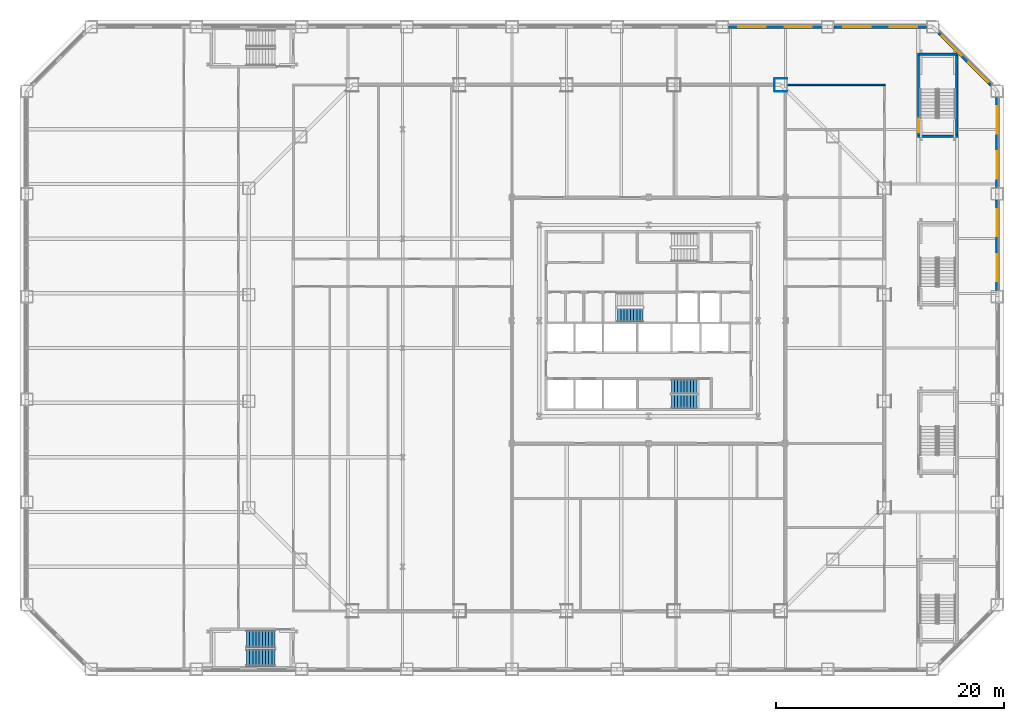
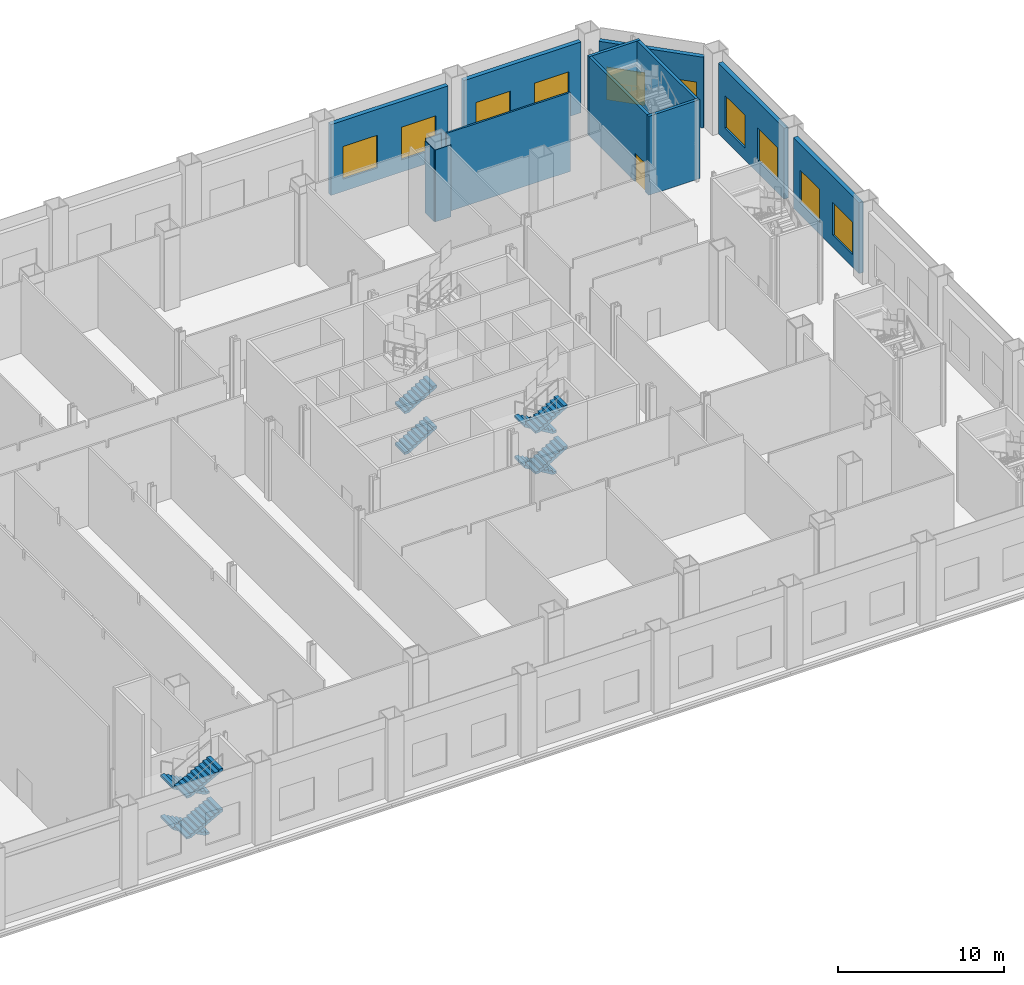
# One storey, part 23 of 31: 13 walls, 10 stair flights, 10 windows, 1 door, 11 openings, 3 elements without a shape of their own.
"""IFC4 building model written with IfcOpenShell, lengths in metres."""

from ifc_helpers import new_model, si_unit, direction, frame, frame_2d, origin, place, context, subcontext, project, spatial, polyline, rectangle, outline, extrude, material, layer, layer_set, type_object, element, fill, aggregate, save


model = new_model("IFC4")

# Units and contexts
model_context = context("Model", 3, precision=1e-05, world=origin(), true_north=direction((0.0, 1.0)))
body_context = subcontext(model_context, "Body", "Model", "MODEL_VIEW")
ifc_project = project(units=[si_unit("LENGTHUNIT", "METRE"), si_unit("AREAUNIT", "SQUARE_METRE"), si_unit("VOLUMEUNIT", "CUBIC_METRE"), si_unit("PLANEANGLEUNIT", "RADIAN"), si_unit("MASSUNIT", "GRAM", prefix="KILO")], contexts=[model_context])

# Site, building, storey
site_placement = place(None, origin())
site = spatial("IfcSite", under=ifc_project, at=site_placement, CompositionType="ELEMENT")
building_placement = place(site_placement, origin())
building = spatial("IfcBuilding", under=site, at=building_placement, Name="Cairn Pilgrim Tower", CompositionType="ELEMENT")
storey_placement = place(building_placement, frame((0.0, 0.0, 9.0)))
storey = spatial("IfcBuildingStorey", under=building, at=storey_placement, Name="L01", CompositionType="ELEMENT", Elevation=9.0)

# Walls
ifc_material_1 = material(Name="Gypsum partition")
ifc_layer_1 = layer(ifc_material_1, 0.125)
ifc_layer_set_1 = layer_set([ifc_layer_1], Name="PARTITION 125 DRYWALL EI 60")
wall_type_1 = type_object("IfcWallType", Name="PARTITION 125 DRYWALL EI 60", PredefinedType="PARTITIONING", material=ifc_layer_set_1)
wall_1_placement = place(storey_placement, frame((19.377197265625, 23.10009765625, 0.0), z_axis=(0.0, 0.0, 1.0), x_axis=(1.0, 0.0, 0.0)))
element("IfcWall", 1, at=wall_1_placement, inside=storey, type_object=wall_type_1, Name="PARTITION W075", PredefinedType="PARTITIONING", context=body_context, shape_type="SweptSolid", body=[
    extrude(rectangle(XDim=8.585205078125, YDim=0.125, at=frame_2d((4.29248046875, 0.0))), origin(), (0.0, 0.0, 1.0), 5.800048828125),
])
ifc_layer_2 = layer(ifc_material_1, 0.050048828125)
ifc_layer_set_2 = layer_set([ifc_layer_2], Name="PARTITION 50 DRYWALL EI 60")
wall_type_2 = type_object("IfcWallType", Name="PARTITION 50 DRYWALL EI 60", PredefinedType="PARTITIONING", material=ifc_layer_set_2)
wall_2_placement = place(storey_placement, frame((18.252197265625, 22.550048828125, 0.0), z_axis=(0.0, 0.0, 1.0), x_axis=(0.0, 1.0, 0.0)))
element("IfcWall", 2, at=wall_2_placement, inside=storey, type_object=wall_type_2, Name="COLUMN CASING WC37", PredefinedType="PARTITIONING", context=body_context, shape_type="SweptSolid", body=[
    extrude(rectangle(XDim=1.099853515625, YDim=0.050048828125, at=frame_2d((0.5498046875, 0.0))), origin(), (0.0, 0.0, 1.0), 5.280029296875),
])
wall_3_placement = place(storey_placement, frame((18.277099609375, 22.52490234375, 0.0), z_axis=(0.0, 0.0, 1.0), x_axis=(1.0, 0.0, 0.0)))
element("IfcWall", 3, at=wall_3_placement, inside=storey, type_object=wall_type_2, Name="COLUMN CASING WC46", PredefinedType="PARTITIONING", context=body_context, shape_type="SweptSolid", body=[
    extrude(rectangle(XDim=1.10009765625, YDim=0.050048828125, at=frame_2d((0.550048828125, 0.0))), origin(), (0.0, 0.0, 1.0), 5.280029296875),
])
wall_4_placement = place(storey_placement, frame((18.277099609375, 23.675048828125, 0.0), z_axis=(0.0, 0.0, 1.0), x_axis=(1.0, 0.0, 0.0)))
element("IfcWall", 4, at=wall_4_placement, inside=storey, type_object=wall_type_2, Name="COLUMN CASING WC47", PredefinedType="PARTITIONING", context=body_context, shape_type="SweptSolid", body=[
    extrude(rectangle(XDim=1.10009765625, YDim=0.050048828125, at=frame_2d((0.550048828125, 0.0))), origin(), (0.0, 0.0, 1.0), 5.419921875),
])
ifc_material_2 = material(Name="Concrete C35/45", Category="concrete")
ifc_layer_3 = layer(ifc_material_2, 0.199951171875)
ifc_layer_set_3 = layer_set([ifc_layer_3], Name="PODIUM STAIR WALL 200 EI 120")
wall_type_3 = type_object("IfcWallType", Name="PODIUM STAIR WALL 200 EI 120", PredefinedType="SOLIDWALL", material=ifc_layer_set_3)
wall_5_placement = place(storey_placement, frame((30.800048828125, 18.60009765625, 0.0), z_axis=(0.0, 0.0, 1.0), x_axis=(1.0, 0.0, 0.0)))
element("IfcWall", 5, at=wall_5_placement, inside=storey, type_object=wall_type_3, Name="STAIR SHAFT WALL W066", PredefinedType="SOLIDWALL", context=body_context, shape_type="SweptSolid", body=[
    extrude(rectangle(XDim=3.550048828125, YDim=0.199951171875, at=frame_2d((1.77490234375, 0.0))), origin(), (0.0, 0.0, 1.0), 5.800048828125),
])

# Wall, opening, door
wall_6_placement = place(storey_placement, frame((30.89990234375, 18.699951171875, 0.0), z_axis=(0.0, 0.0, 1.0), x_axis=(0.0, 1.0, 0.0)))
wall_6 = element("IfcWall", 6, at=wall_6_placement, inside=storey, type_object=wall_type_3, Name="STAIR SHAFT WALL W067", PredefinedType="SOLIDWALL", context=body_context, shape_type="SweptSolid", body=[
    extrude(rectangle(XDim=7.0, YDim=0.199951171875, at=frame_2d((3.5, 0.0))), origin(), (0.0, 0.0, 1.0), 5.800048828125),
])
opening_1_placement = place(wall_6_placement, frame((0.25, 0.0, 0.0)))
opening_1 = element("IfcOpeningElement", 7, at=opening_1_placement, cuts=wall_6, Name="Opening 0131", PredefinedType="OPENING", context=body_context, shape_type="SweptSolid", body=[
    extrude(rectangle(XDim=1.199951171875, YDim=2.10009765625, at=frame_2d((0.60009765625, 1.050048828125))), frame((0.0, 0.10986328125, 0.0), z_axis=(0.0, -1.0, 0.0), x_axis=(1.0, 0.0, 0.0)), (0.0, 0.0, 1.0), 0.219970703125),
])
ifc_material_3 = material(Name="Steel-faced fire door leaf", Category="steel")
door_type = type_object("IfcDoorType", Name="FIRE DOOR 1200x2100 FD60S", OperationType="NOTDEFINED", PredefinedType="DOOR", material=ifc_material_3)
door_placement = place(opening_1_placement, frame((1.199951171875, 0.0, 0.0), z_axis=(0.0, 0.0, 1.0), x_axis=(-1.0, 0.0, 0.0)))
door = element("IfcDoor", 8, at=door_placement, inside=storey, type_object=door_type, Name="DOOR 0131", OperationType="SINGLE_SWING_RIGHT", OverallHeight=2.10009765625, OverallWidth=1.199951171875, PredefinedType="DOOR", context=body_context, shape_type="SweptSolid", body=[
    extrude(rectangle(XDim=1.199951171875, YDim=2.10009765625, at=frame_2d((0.60009765625, 1.050048828125))), frame((0.0, 0.02490234375, 0.0), z_axis=(0.0, -1.0, 0.0), x_axis=(1.0, 0.0, 0.0)), (0.0, 0.0, 1.0), 0.050048828125),
])
fill(opening_1, door)

# Walls
wall_7_placement = place(storey_placement, frame((34.25, 18.699951171875, 0.0), z_axis=(0.0, 0.0, 1.0), x_axis=(0.0, 1.0, 0.0)))
element("IfcWall", 9, at=wall_7_placement, inside=storey, type_object=wall_type_3, Name="STAIR SHAFT WALL W068", PredefinedType="SOLIDWALL", context=body_context, shape_type="SweptSolid", body=[
    extrude(rectangle(XDim=7.0, YDim=0.199951171875, at=frame_2d((3.5, 0.0))), origin(), (0.0, 0.0, 1.0), 5.800048828125),
])
wall_8_placement = place(storey_placement, frame((30.800048828125, 25.800048828125, 0.0), z_axis=(0.0, 0.0, 1.0), x_axis=(1.0, 0.0, 0.0)))
element("IfcWall", 10, at=wall_8_placement, inside=storey, type_object=wall_type_3, Name="STAIR SHAFT WALL W080", PredefinedType="SOLIDWALL", context=body_context, shape_type="SweptSolid", body=[
    extrude(rectangle(XDim=3.550048828125, YDim=0.199951171875, at=frame_2d((1.77490234375, 0.0))), origin(), (0.0, 0.0, 1.0), 5.800048828125),
])

# Wall, openings, windows
ifc_material_4 = material(Name="Concrete C35/45 backup wall with bronze aluminium cladding", Category="concrete")
ifc_layer_4 = layer(ifc_material_4, 0.300048828125)
ifc_layer_set_4 = layer_set([ifc_layer_4], Name="PODIUM WALL 300 BRONZE-CLAD")
wall_type_4 = type_object("IfcWallType", Name="PODIUM WALL 300 BRONZE-CLAD", PredefinedType="SOLIDWALL", material=ifc_layer_set_4)
wall_9_placement = place(storey_placement, frame((37.800048828125, 5.060302734375, 0.0), z_axis=(0.0, 0.0, 1.0), x_axis=(0.0, 1.0, 0.0)))
wall_9 = element("IfcWall", 11, at=wall_9_placement, inside=storey, type_object=wall_type_4, Name="PODIUM EXTERNAL WALL E4-E5", PredefinedType="SOLIDWALL", context=body_context, shape_type="SweptSolid", body=[
    extrude(rectangle(XDim=7.920654296875, YDim=0.300048828125, at=frame_2d((3.96044921875, 0.0))), origin(), (0.0, 0.0, 1.0), 5.199951171875),
])
opening_2_placement = place(wall_9_placement, frame((0.780029296875, 0.0, 0.89990234375)))
opening_2 = element("IfcOpeningElement", 12, at=opening_2_placement, cuts=wall_9, Name="Opening PW24", PredefinedType="OPENING", context=body_context, shape_type="SweptSolid", body=[
    extrude(rectangle(XDim=2.39990234375, YDim=2.39990234375, at=frame_2d((1.199951171875, 1.199951171875))), frame((0.0, 0.16015625, 0.0), z_axis=(0.0, -1.0, 0.0), x_axis=(1.0, 0.0, 0.0)), (0.0, 0.0, 1.0), 0.320068359375),
])
opening_3_placement = place(wall_9_placement, frame((4.740478515625, 0.0, 0.89990234375)))
opening_3 = element("IfcOpeningElement", 13, at=opening_3_placement, cuts=wall_9, Name="Opening PW24", PredefinedType="OPENING", context=body_context, shape_type="SweptSolid", body=[
    extrude(rectangle(XDim=2.39990234375, YDim=2.39990234375, at=frame_2d((1.199951171875, 1.199951171875))), frame((0.0, 0.16015625, 0.0), z_axis=(0.0, -1.0, 0.0), x_axis=(1.0, 0.0, 0.0)), (0.0, 0.0, 1.0), 0.320068359375),
])
ifc_material_5 = material(Name="Bronze anodised aluminium frame with tinted low-E glass", Category="aluminium")
window_type = type_object("IfcWindowType", Name="PODIUM FIXED WINDOW 2400x2400", PartitioningType="SINGLE_PANEL", PredefinedType="WINDOW", material=ifc_material_5)
window_1_placement = place(opening_2_placement, origin())
window_1 = element("IfcWindow", 14, at=window_1_placement, inside=storey, type_object=window_type, Name="PODIUM WINDOW", OverallHeight=2.39990234375, OverallWidth=2.39990234375, PartitioningType="SINGLE_PANEL", PredefinedType="WINDOW", context=body_context, shape_type="SweptSolid", body=[
    extrude(rectangle(XDim=2.39990234375, YDim=2.39990234375, at=frame_2d((1.199951171875, 1.199951171875))), frame((0.0, 0.030029296875, 0.0), z_axis=(0.0, -1.0, 0.0), x_axis=(1.0, 0.0, 0.0)), (0.0, 0.0, 1.0), 0.06005859375),
])
fill(opening_2, window_1)
window_2_placement = place(opening_3_placement, origin())
window_2 = element("IfcWindow", 15, at=window_2_placement, inside=storey, type_object=window_type, Name="PODIUM WINDOW", OverallHeight=2.39990234375, OverallWidth=2.39990234375, PartitioningType="SINGLE_PANEL", PredefinedType="WINDOW", context=body_context, shape_type="SweptSolid", body=[
    extrude(rectangle(XDim=2.39990234375, YDim=2.39990234375, at=frame_2d((1.199951171875, 1.199951171875))), frame((0.0, 0.030029296875, 0.0), z_axis=(0.0, -1.0, 0.0), x_axis=(1.0, 0.0, 0.0)), (0.0, 0.0, 1.0), 0.06005859375),
])
fill(opening_3, window_2)

wall_10_placement = place(storey_placement, frame((37.800048828125, 14.080810546875, 0.0), z_axis=(0.0, 0.0, 1.0), x_axis=(0.0, 1.0, 0.0)))
wall_10 = element("IfcWall", 16, at=wall_10_placement, inside=storey, type_object=wall_type_4, Name="PODIUM EXTERNAL WALL E5-NE1", PredefinedType="SOLIDWALL", context=body_context, shape_type="SweptSolid", body=[
    extrude(rectangle(XDim=7.920654296875, YDim=0.300048828125, at=frame_2d((3.96044921875, 0.0))), origin(), (0.0, 0.0, 1.0), 5.199951171875),
])
opening_4_placement = place(wall_10_placement, frame((0.780029296875, 0.0, 0.89990234375)))
opening_4 = element("IfcOpeningElement", 17, at=opening_4_placement, cuts=wall_10, Name="Opening PW24", PredefinedType="OPENING", context=body_context, shape_type="SweptSolid", body=[
    extrude(rectangle(XDim=2.39990234375, YDim=2.39990234375, at=frame_2d((1.199951171875, 1.199951171875))), frame((0.0, 0.16015625, 0.0), z_axis=(0.0, -1.0, 0.0), x_axis=(1.0, 0.0, 0.0)), (0.0, 0.0, 1.0), 0.320068359375),
])
opening_5_placement = place(wall_10_placement, frame((4.740478515625, 0.0, 0.89990234375)))
opening_5 = element("IfcOpeningElement", 18, at=opening_5_placement, cuts=wall_10, Name="Opening PW24", PredefinedType="OPENING", context=body_context, shape_type="SweptSolid", body=[
    extrude(rectangle(XDim=2.39990234375, YDim=2.39990234375, at=frame_2d((1.199951171875, 1.199951171875))), frame((0.0, 0.16015625, 0.0), z_axis=(0.0, -1.0, 0.0), x_axis=(1.0, 0.0, 0.0)), (0.0, 0.0, 1.0), 0.320068359375),
])
window_3_placement = place(opening_4_placement, origin())
window_3 = element("IfcWindow", 19, at=window_3_placement, inside=storey, type_object=window_type, Name="PODIUM WINDOW", OverallHeight=2.39990234375, OverallWidth=2.39990234375, PartitioningType="SINGLE_PANEL", PredefinedType="WINDOW", context=body_context, shape_type="SweptSolid", body=[
    extrude(rectangle(XDim=2.39990234375, YDim=2.39990234375, at=frame_2d((1.199951171875, 1.199951171875))), frame((0.0, 0.030029296875, 0.0), z_axis=(0.0, -1.0, 0.0), x_axis=(1.0, 0.0, 0.0)), (0.0, 0.0, 1.0), 0.06005859375),
])
fill(opening_4, window_3)
window_4_placement = place(opening_5_placement, origin())
window_4 = element("IfcWindow", 20, at=window_4_placement, inside=storey, type_object=window_type, Name="PODIUM WINDOW", OverallHeight=2.39990234375, OverallWidth=2.39990234375, PartitioningType="SINGLE_PANEL", PredefinedType="WINDOW", context=body_context, shape_type="SweptSolid", body=[
    extrude(rectangle(XDim=2.39990234375, YDim=2.39990234375, at=frame_2d((1.199951171875, 1.199951171875))), frame((0.0, 0.030029296875, 0.0), z_axis=(0.0, -1.0, 0.0), x_axis=(1.0, 0.0, 0.0)), (0.0, 0.0, 1.0), 0.06005859375),
])
fill(opening_5, window_4)

wall_11_placement = place(storey_placement, frame((37.276611328125, 23.07470703125, 0.0), z_axis=(0.0, 0.0, 1.0), x_axis=(-0.707088024292, 0.707125537583, 0.0)))
wall_11 = element("IfcWall", 21, at=wall_11_placement, inside=storey, type_object=wall_type_4, Name="PODIUM EXTERNAL WALL NE1-N1", PredefinedType="SOLIDWALL", context=body_context, shape_type="SweptSolid", body=[
    extrude(rectangle(XDim=6.508056640625, YDim=0.300048828125, at=frame_2d((3.25390625, 0.0))), origin(), (0.0, 0.0, 1.0), 5.199951171875),
])
opening_6_placement = place(wall_11_placement, frame((0.427001953125, 0.0, 0.89990234375)))
opening_6 = element("IfcOpeningElement", 22, at=opening_6_placement, cuts=wall_11, Name="Opening PW24", PredefinedType="OPENING", context=body_context, shape_type="SweptSolid", body=[
    extrude(rectangle(XDim=2.39990234375, YDim=2.39990234375, at=frame_2d((1.199951171875, 1.199951171875))), frame((0.0, 0.16015625, 0.0), z_axis=(0.0, -1.0, 0.0), x_axis=(1.0, 0.0, 0.0)), (0.0, 0.0, 1.0), 0.320068359375),
])
opening_7_placement = place(wall_11_placement, frame((3.68115234375, 0.0, 0.89990234375)))
opening_7 = element("IfcOpeningElement", 23, at=opening_7_placement, cuts=wall_11, Name="Opening PW24", PredefinedType="OPENING", context=body_context, shape_type="SweptSolid", body=[
    extrude(rectangle(XDim=2.39990234375, YDim=2.39990234375, at=frame_2d((1.199951171875, 1.199951171875))), frame((0.0, 0.16015625, 0.0), z_axis=(0.0, -1.0, 0.0), x_axis=(1.0, 0.0, 0.0)), (0.0, 0.0, 1.0), 0.320068359375),
])
window_5_placement = place(opening_6_placement, origin())
window_5 = element("IfcWindow", 24, at=window_5_placement, inside=storey, type_object=window_type, Name="PODIUM WINDOW", OverallHeight=2.39990234375, OverallWidth=2.39990234375, PartitioningType="SINGLE_PANEL", PredefinedType="WINDOW", context=body_context, shape_type="SweptSolid", body=[
    extrude(rectangle(XDim=2.39990234375, YDim=2.39990234375, at=frame_2d((1.199951171875, 1.199951171875))), frame((0.0, 0.030029296875, 0.0), z_axis=(0.0, -1.0, 0.0), x_axis=(1.0, 0.0, 0.0)), (0.0, 0.0, 1.0), 0.06005859375),
])
fill(opening_6, window_5)
window_6_placement = place(opening_7_placement, origin())
window_6 = element("IfcWindow", 25, at=window_6_placement, inside=storey, type_object=window_type, Name="PODIUM WINDOW", OverallHeight=2.39990234375, OverallWidth=2.39990234375, PartitioningType="SINGLE_PANEL", PredefinedType="WINDOW", context=body_context, shape_type="SweptSolid", body=[
    extrude(rectangle(XDim=2.39990234375, YDim=2.39990234375, at=frame_2d((1.199951171875, 1.199951171875))), frame((0.0, 0.030029296875, 0.0), z_axis=(0.0, -1.0, 0.0), x_axis=(1.0, 0.0, 0.0)), (0.0, 0.0, 1.0), 0.06005859375),
])
fill(opening_7, window_6)

wall_12_placement = place(storey_placement, frame((31.6015625, 28.199951171875, 0.0), z_axis=(0.0, 0.0, 1.0), x_axis=(-1.0, 0.0, 0.0)))
wall_12 = element("IfcWall", 26, at=wall_12_placement, inside=storey, type_object=wall_type_4, Name="PODIUM EXTERNAL WALL N1-N2", PredefinedType="SOLIDWALL", context=body_context, shape_type="SweptSolid", body=[
    extrude(rectangle(XDim=8.137939453125, YDim=0.300048828125, at=frame_2d((4.06884765625, 0.0))), origin(), (0.0, 0.0, 1.0), 5.199951171875),
])
opening_8_placement = place(wall_12_placement, frame((0.83447265625, 0.0, 0.89990234375)))
opening_8 = element("IfcOpeningElement", 27, at=opening_8_placement, cuts=wall_12, Name="Opening PW24", PredefinedType="OPENING", context=body_context, shape_type="SweptSolid", body=[
    extrude(rectangle(XDim=2.39990234375, YDim=2.39990234375, at=frame_2d((1.199951171875, 1.199951171875))), frame((0.0, 0.16015625, 0.0), z_axis=(0.0, -1.0, 0.0), x_axis=(1.0, 0.0, 0.0)), (0.0, 0.0, 1.0), 0.320068359375),
])
opening_9_placement = place(wall_12_placement, frame((4.9033203125, 0.0, 0.89990234375)))
opening_9 = element("IfcOpeningElement", 28, at=opening_9_placement, cuts=wall_12, Name="Opening PW24", PredefinedType="OPENING", context=body_context, shape_type="SweptSolid", body=[
    extrude(rectangle(XDim=2.39990234375, YDim=2.39990234375, at=frame_2d((1.199951171875, 1.199951171875))), frame((0.0, 0.16015625, 0.0), z_axis=(0.0, -1.0, 0.0), x_axis=(1.0, 0.0, 0.0)), (0.0, 0.0, 1.0), 0.320068359375),
])
window_7_placement = place(opening_8_placement, origin())
window_7 = element("IfcWindow", 29, at=window_7_placement, inside=storey, type_object=window_type, Name="PODIUM WINDOW", OverallHeight=2.39990234375, OverallWidth=2.39990234375, PartitioningType="SINGLE_PANEL", PredefinedType="WINDOW", context=body_context, shape_type="SweptSolid", body=[
    extrude(rectangle(XDim=2.39990234375, YDim=2.39990234375, at=frame_2d((1.199951171875, 1.199951171875))), frame((0.0, 0.030029296875, 0.0), z_axis=(0.0, -1.0, 0.0), x_axis=(1.0, 0.0, 0.0)), (0.0, 0.0, 1.0), 0.06005859375),
])
fill(opening_8, window_7)
window_8_placement = place(opening_9_placement, origin())
window_8 = element("IfcWindow", 30, at=window_8_placement, inside=storey, type_object=window_type, Name="PODIUM WINDOW", OverallHeight=2.39990234375, OverallWidth=2.39990234375, PartitioningType="SINGLE_PANEL", PredefinedType="WINDOW", context=body_context, shape_type="SweptSolid", body=[
    extrude(rectangle(XDim=2.39990234375, YDim=2.39990234375, at=frame_2d((1.199951171875, 1.199951171875))), frame((0.0, 0.030029296875, 0.0), z_axis=(0.0, -1.0, 0.0), x_axis=(1.0, 0.0, 0.0)), (0.0, 0.0, 1.0), 0.06005859375),
])
fill(opening_9, window_8)

wall_13_placement = place(storey_placement, frame((22.363525390625, 28.199951171875, 0.0), z_axis=(0.0, 0.0, 1.0), x_axis=(-1.0, 0.0, 0.0)))
wall_13 = element("IfcWall", 31, at=wall_13_placement, inside=storey, type_object=wall_type_4, Name="PODIUM EXTERNAL WALL N2-N3", PredefinedType="SOLIDWALL", context=body_context, shape_type="SweptSolid", body=[
    extrude(rectangle(XDim=8.137939453125, YDim=0.300048828125, at=frame_2d((4.06884765625, 0.0))), origin(), (0.0, 0.0, 1.0), 5.199951171875),
])
opening_10_placement = place(wall_13_placement, frame((0.83447265625, 0.0, 0.89990234375)))
opening_10 = element("IfcOpeningElement", 32, at=opening_10_placement, cuts=wall_13, Name="Opening PW24", PredefinedType="OPENING", context=body_context, shape_type="SweptSolid", body=[
    extrude(rectangle(XDim=2.39990234375, YDim=2.39990234375, at=frame_2d((1.199951171875, 1.199951171875))), frame((0.0, 0.16015625, 0.0), z_axis=(0.0, -1.0, 0.0), x_axis=(1.0, 0.0, 0.0)), (0.0, 0.0, 1.0), 0.320068359375),
])
opening_11_placement = place(wall_13_placement, frame((4.9033203125, 0.0, 0.89990234375)))
opening_11 = element("IfcOpeningElement", 33, at=opening_11_placement, cuts=wall_13, Name="Opening PW24", PredefinedType="OPENING", context=body_context, shape_type="SweptSolid", body=[
    extrude(rectangle(XDim=2.39990234375, YDim=2.39990234375, at=frame_2d((1.199951171875, 1.199951171875))), frame((0.0, 0.16015625, 0.0), z_axis=(0.0, -1.0, 0.0), x_axis=(1.0, 0.0, 0.0)), (0.0, 0.0, 1.0), 0.320068359375),
])
window_9_placement = place(opening_10_placement, origin())
window_9 = element("IfcWindow", 34, at=window_9_placement, inside=storey, type_object=window_type, Name="PODIUM WINDOW", OverallHeight=2.39990234375, OverallWidth=2.39990234375, PartitioningType="SINGLE_PANEL", PredefinedType="WINDOW", context=body_context, shape_type="SweptSolid", body=[
    extrude(rectangle(XDim=2.39990234375, YDim=2.39990234375, at=frame_2d((1.199951171875, 1.199951171875))), frame((0.0, 0.030029296875, 0.0), z_axis=(0.0, -1.0, 0.0), x_axis=(1.0, 0.0, 0.0)), (0.0, 0.0, 1.0), 0.06005859375),
])
fill(opening_10, window_9)
window_10_placement = place(opening_11_placement, origin())
window_10 = element("IfcWindow", 35, at=window_10_placement, inside=storey, type_object=window_type, Name="PODIUM WINDOW", OverallHeight=2.39990234375, OverallWidth=2.39990234375, PartitioningType="SINGLE_PANEL", PredefinedType="WINDOW", context=body_context, shape_type="SweptSolid", body=[
    extrude(rectangle(XDim=2.39990234375, YDim=2.39990234375, at=frame_2d((1.199951171875, 1.199951171875))), frame((0.0, 0.030029296875, 0.0), z_axis=(0.0, -1.0, 0.0), x_axis=(1.0, 0.0, 0.0)), (0.0, 0.0, 1.0), 0.06005859375),
])
fill(opening_11, window_10)

# Stair, stair flights
stair_type_1 = type_object("IfcStairType", Name="PODIUM EXIT STAIR 1500", PredefinedType="HALF_TURN_STAIR", material=ifc_material_2)
stair_1_placement = place(storey_placement, origin())
stair_1 = element("IfcStair", 36, at=stair_1_placement, inside=storey, type_object=stair_type_1, Name="L01 Exit Stair Hs", PredefinedType="HALF_TURN_STAIR")
stair_flight_type_1 = type_object("IfcStairFlightType", Name="PODIUM STAIR FLIGHT 1500", PredefinedType="STRAIGHT", material=ifc_material_2)
stair_flight_1_placement = place(storey_placement, frame((-25.60009765625, -25.550048828125, 0.0), z_axis=(0.0, 0.0, 1.0), x_axis=(-1.0, 0.0, 0.0)))
stair_flight_1 = element("IfcStairFlight", 37, at=stair_flight_1_placement, type_object=stair_flight_type_1, Name="ST-HS flight 1", NumberOfRisers=10, NumberOfTreads=9, PredefinedType="STRAIGHT", RiserHeight=0.15, TreadLength=0.28, context=body_context, shape_type="SweptSolid", body=[
    extrude(outline(polyline([(0.0, 0.0), (0.0, 0.14990234375), (0.280029296875, 0.14990234375), (0.280029296875, 0.300048828125), (0.56005859375, 0.300048828125), (0.56005859375, 0.449951171875), (0.840087890625, 0.449951171875), (0.840087890625, 0.60009765625), (1.1201171875, 0.60009765625), (1.1201171875, 0.75), (1.39990234375, 0.75), (1.39990234375, 0.89990234375), (1.679931640625, 0.89990234375), (1.679931640625, 1.050048828125), (1.9599609375, 1.050048828125), (1.9599609375, 1.199951171875), (2.239990234375, 1.199951171875), (2.239990234375, 1.35009765625), (2.52001953125, 1.35009765625), (2.52001953125, 1.5), (2.52001953125, 1.179931640625), (0.3173828125, 0.0), (0.0, 0.0)])), frame((0.0, 0.75, 0.0), z_axis=(0.0, -1.0, 0.0), x_axis=(1.0, 0.0, 0.0)), (0.0, 0.0, 1.0), 1.5),
])
stair_flight_2_placement = place(storey_placement, frame((-28.1201171875, -27.199951171875, 1.5), z_axis=(0.0, 0.0, 1.0), x_axis=(1.0, 0.0, 0.0)))
stair_flight_2 = element("IfcStairFlight", 38, at=stair_flight_2_placement, type_object=stair_flight_type_1, Name="ST-HS flight 2", NumberOfRisers=10, NumberOfTreads=9, PredefinedType="STRAIGHT", RiserHeight=0.15, TreadLength=0.28, context=body_context, shape_type="SweptSolid", body=[
    extrude(outline(polyline([(0.0, 0.0), (0.0, 0.14990234375), (0.280029296875, 0.14990234375), (0.280029296875, 0.300048828125), (0.56005859375, 0.300048828125), (0.56005859375, 0.449951171875), (0.840087890625, 0.449951171875), (0.840087890625, 0.60009765625), (1.1201171875, 0.60009765625), (1.1201171875, 0.75), (1.39990234375, 0.75), (1.39990234375, 0.89990234375), (1.679931640625, 0.89990234375), (1.679931640625, 1.050048828125), (1.9599609375, 1.050048828125), (1.9599609375, 1.199951171875), (2.239990234375, 1.199951171875), (2.239990234375, 1.35009765625), (2.52001953125, 1.35009765625), (2.52001953125, 1.5), (2.52001953125, 1.179931640625), (0.3173828125, 0.0), (0.0, 0.0)])), frame((0.0, 0.75, 0.0), z_axis=(0.0, -1.0, 0.0), x_axis=(1.0, 0.0, 0.0)), (0.0, 0.0, 1.0), 1.5),
])
stair_flight_3_placement = place(storey_placement, frame((-25.60009765625, -25.550048828125, 3.0), z_axis=(0.0, 0.0, 1.0), x_axis=(-1.0, 0.0, 0.0)))
stair_flight_3 = element("IfcStairFlight", 39, at=stair_flight_3_placement, type_object=stair_flight_type_1, Name="ST-HS flight 3", NumberOfRisers=10, NumberOfTreads=9, PredefinedType="STRAIGHT", RiserHeight=0.15, TreadLength=0.28, context=body_context, shape_type="SweptSolid", body=[
    extrude(outline(polyline([(0.0, 0.0), (0.0, 0.14990234375), (0.280029296875, 0.14990234375), (0.280029296875, 0.300048828125), (0.56005859375, 0.300048828125), (0.56005859375, 0.449951171875), (0.840087890625, 0.449951171875), (0.840087890625, 0.60009765625), (1.1201171875, 0.60009765625), (1.1201171875, 0.75), (1.39990234375, 0.75), (1.39990234375, 0.89990234375), (1.679931640625, 0.89990234375), (1.679931640625, 1.050048828125), (1.9599609375, 1.050048828125), (1.9599609375, 1.199951171875), (2.239990234375, 1.199951171875), (2.239990234375, 1.35009765625), (2.52001953125, 1.35009765625), (2.52001953125, 1.5), (2.52001953125, 1.179931640625), (0.3173828125, 0.0), (0.0, 0.0)])), frame((0.0, 0.75, 0.0), z_axis=(0.0, -1.0, 0.0), x_axis=(1.0, 0.0, 0.0)), (0.0, 0.0, 1.0), 1.5),
])
stair_flight_4_placement = place(storey_placement, frame((-28.1201171875, -27.199951171875, 4.5), z_axis=(0.0, 0.0, 1.0), x_axis=(1.0, 0.0, 0.0)))
stair_flight_4 = element("IfcStairFlight", 40, at=stair_flight_4_placement, type_object=stair_flight_type_1, Name="ST-HS flight 4", NumberOfRisers=10, NumberOfTreads=9, PredefinedType="STRAIGHT", RiserHeight=0.15, TreadLength=0.28, context=body_context, shape_type="SweptSolid", body=[
    extrude(outline(polyline([(0.0, 0.0), (0.0, 0.14990234375), (0.280029296875, 0.14990234375), (0.280029296875, 0.300048828125), (0.56005859375, 0.300048828125), (0.56005859375, 0.449951171875), (0.840087890625, 0.449951171875), (0.840087890625, 0.60009765625), (1.1201171875, 0.60009765625), (1.1201171875, 0.75), (1.39990234375, 0.75), (1.39990234375, 0.89990234375), (1.679931640625, 0.89990234375), (1.679931640625, 1.050048828125), (1.9599609375, 1.050048828125), (1.9599609375, 1.199951171875), (2.239990234375, 1.199951171875), (2.239990234375, 1.35009765625), (2.52001953125, 1.35009765625), (2.52001953125, 1.5), (2.52001953125, 1.179931640625), (0.3173828125, 0.0), (0.0, 0.0)])), frame((0.0, 0.75, 0.0), z_axis=(0.0, -1.0, 0.0), x_axis=(1.0, 0.0, 0.0)), (0.0, 0.0, 1.0), 1.5),
])
aggregate(stair_1, [stair_flight_1, stair_flight_2, stair_flight_3, stair_flight_4])

ifc_material_6 = material(Name="Concrete C32/40", Category="concrete")
stair_type_2 = type_object("IfcStairType", Name="EXIT STAIR 1200", PredefinedType="HALF_TURN_STAIR", material=ifc_material_6)
stair_2_placement = place(storey_placement, origin())
stair_2 = element("IfcStair", 41, at=stair_2_placement, inside=storey, type_object=stair_type_2, Name="L01 Exit Stair A", PredefinedType="HALF_TURN_STAIR")
stair_flight_type_2 = type_object("IfcStairFlightType", Name="STAIR FLIGHT 1200", PredefinedType="STRAIGHT", material=ifc_material_6)
stair_flight_5_placement = place(storey_placement, frame((11.425048828125, -3.375, 0.0), z_axis=(0.0, 0.0, 1.0), x_axis=(-1.0, 0.0, 0.0)))
stair_flight_5 = element("IfcStairFlight", 42, at=stair_flight_5_placement, type_object=stair_flight_type_2, Name="ST-A flight 1", NumberOfRisers=9, NumberOfTreads=8, PredefinedType="STRAIGHT", RiserHeight=0.166666667, TreadLength=0.28, context=body_context, shape_type="SweptSolid", body=[
    extrude(outline(polyline([(0.0, 0.0), (0.0, 0.166748046875), (0.280029296875, 0.166748046875), (0.280029296875, 0.333251953125), (0.56005859375, 0.333251953125), (0.56005859375, 0.5), (0.840087890625, 0.5), (0.840087890625, 0.666748046875), (1.1201171875, 0.666748046875), (1.1201171875, 0.833251953125), (1.39990234375, 0.833251953125), (1.39990234375, 1.0), (1.679931640625, 1.0), (1.679931640625, 1.166748046875), (1.9599609375, 1.166748046875), (1.9599609375, 1.333251953125), (2.239990234375, 1.333251953125), (2.239990234375, 1.5), (2.239990234375, 1.158935546875), (0.29296875, 0.0), (0.0, 0.0)])), frame((0.0, 0.60009765625, 0.0), z_axis=(0.0, -1.0, 0.0), x_axis=(1.0, 0.0, 0.0)), (0.0, 0.0, 1.0), 1.199951171875),
])
stair_flight_6_placement = place(storey_placement, frame((9.18505859375, -4.699951171875, 1.5), z_axis=(0.0, 0.0, 1.0), x_axis=(1.0, 0.0, 0.0)))
stair_flight_6 = element("IfcStairFlight", 43, at=stair_flight_6_placement, type_object=stair_flight_type_2, Name="ST-A flight 2", NumberOfRisers=9, NumberOfTreads=8, PredefinedType="STRAIGHT", RiserHeight=0.166666667, TreadLength=0.28, context=body_context, shape_type="SweptSolid", body=[
    extrude(outline(polyline([(0.0, 0.0), (0.0, 0.166748046875), (0.280029296875, 0.166748046875), (0.280029296875, 0.333251953125), (0.56005859375, 0.333251953125), (0.56005859375, 0.5), (0.840087890625, 0.5), (0.840087890625, 0.666748046875), (1.1201171875, 0.666748046875), (1.1201171875, 0.833251953125), (1.39990234375, 0.833251953125), (1.39990234375, 1.0), (1.679931640625, 1.0), (1.679931640625, 1.166748046875), (1.9599609375, 1.166748046875), (1.9599609375, 1.333251953125), (2.239990234375, 1.333251953125), (2.239990234375, 1.5), (2.239990234375, 1.158935546875), (0.29296875, 0.0), (0.0, 0.0)])), frame((0.0, 0.60009765625, 0.0), z_axis=(0.0, -1.0, 0.0), x_axis=(1.0, 0.0, 0.0)), (0.0, 0.0, 1.0), 1.199951171875),
])
stair_flight_7_placement = place(storey_placement, frame((11.425048828125, -3.375, 3.0), z_axis=(0.0, 0.0, 1.0), x_axis=(-1.0, 0.0, 0.0)))
stair_flight_7 = element("IfcStairFlight", 44, at=stair_flight_7_placement, type_object=stair_flight_type_2, Name="ST-A flight 3", NumberOfRisers=9, NumberOfTreads=8, PredefinedType="STRAIGHT", RiserHeight=0.166666667, TreadLength=0.28, context=body_context, shape_type="SweptSolid", body=[
    extrude(outline(polyline([(0.0, 0.0), (0.0, 0.166748046875), (0.280029296875, 0.166748046875), (0.280029296875, 0.333251953125), (0.56005859375, 0.333251953125), (0.56005859375, 0.5), (0.840087890625, 0.5), (0.840087890625, 0.666748046875), (1.1201171875, 0.666748046875), (1.1201171875, 0.833251953125), (1.39990234375, 0.833251953125), (1.39990234375, 1.0), (1.679931640625, 1.0), (1.679931640625, 1.166748046875), (1.9599609375, 1.166748046875), (1.9599609375, 1.333251953125), (2.239990234375, 1.333251953125), (2.239990234375, 1.5), (2.239990234375, 1.158935546875), (0.29296875, 0.0), (0.0, 0.0)])), frame((0.0, 0.60009765625, 0.0), z_axis=(0.0, -1.0, 0.0), x_axis=(1.0, 0.0, 0.0)), (0.0, 0.0, 1.0), 1.199951171875),
])
stair_flight_8_placement = place(storey_placement, frame((9.18505859375, -4.699951171875, 4.5), z_axis=(0.0, 0.0, 1.0), x_axis=(1.0, 0.0, 0.0)))
stair_flight_8 = element("IfcStairFlight", 45, at=stair_flight_8_placement, type_object=stair_flight_type_2, Name="ST-A flight 4", NumberOfRisers=9, NumberOfTreads=8, PredefinedType="STRAIGHT", RiserHeight=0.166666667, TreadLength=0.28, context=body_context, shape_type="SweptSolid", body=[
    extrude(outline(polyline([(0.0, 0.0), (0.0, 0.166748046875), (0.280029296875, 0.166748046875), (0.280029296875, 0.333251953125), (0.56005859375, 0.333251953125), (0.56005859375, 0.5), (0.840087890625, 0.5), (0.840087890625, 0.666748046875), (1.1201171875, 0.666748046875), (1.1201171875, 0.833251953125), (1.39990234375, 0.833251953125), (1.39990234375, 1.0), (1.679931640625, 1.0), (1.679931640625, 1.166748046875), (1.9599609375, 1.166748046875), (1.9599609375, 1.333251953125), (2.239990234375, 1.333251953125), (2.239990234375, 1.5), (2.239990234375, 1.158935546875), (0.29296875, 0.0), (0.0, 0.0)])), frame((0.0, 0.60009765625, 0.0), z_axis=(0.0, -1.0, 0.0), x_axis=(1.0, 0.0, 0.0)), (0.0, 0.0, 1.0), 1.199951171875),
])
aggregate(stair_2, [stair_flight_5, stair_flight_6, stair_flight_7, stair_flight_8])

stair_3_placement = place(storey_placement, origin())
stair_3 = element("IfcStair", 46, at=stair_3_placement, inside=storey, type_object=stair_type_2, Name="L01 Exit Stair B", PredefinedType="HALF_TURN_STAIR")
stair_flight_9_placement = place(storey_placement, frame((4.47509765625, 2.875, 0.0), z_axis=(0.0, 0.0, 1.0), x_axis=(1.0, 0.0, 0.0)))
stair_flight_9 = element("IfcStairFlight", 47, at=stair_flight_9_placement, type_object=stair_flight_type_2, Name="ST-B flight 1", NumberOfRisers=9, NumberOfTreads=8, PredefinedType="STRAIGHT", RiserHeight=0.166666667, TreadLength=0.28, context=body_context, shape_type="SweptSolid", body=[
    extrude(outline(polyline([(0.0, 0.0), (0.0, 0.166748046875), (0.280029296875, 0.166748046875), (0.280029296875, 0.333251953125), (0.56005859375, 0.333251953125), (0.56005859375, 0.5), (0.840087890625, 0.5), (0.840087890625, 0.666748046875), (1.1201171875, 0.666748046875), (1.1201171875, 0.833251953125), (1.39990234375, 0.833251953125), (1.39990234375, 1.0), (1.679931640625, 1.0), (1.679931640625, 1.166748046875), (1.9599609375, 1.166748046875), (1.9599609375, 1.333251953125), (2.239990234375, 1.333251953125), (2.239990234375, 1.5), (2.239990234375, 1.158935546875), (0.29296875, 0.0), (0.0, 0.0)])), frame((0.0, 0.60009765625, 0.0), z_axis=(0.0, -1.0, 0.0), x_axis=(1.0, 0.0, 0.0)), (0.0, 0.0, 1.0), 1.199951171875),
])
stair_flight_10_placement = place(storey_placement, frame((4.47509765625, 2.875, 3.0), z_axis=(0.0, 0.0, 1.0), x_axis=(1.0, 0.0, 0.0)))
stair_flight_10 = element("IfcStairFlight", 48, at=stair_flight_10_placement, type_object=stair_flight_type_2, Name="ST-B flight 3", NumberOfRisers=9, NumberOfTreads=8, PredefinedType="STRAIGHT", RiserHeight=0.166666667, TreadLength=0.28, context=body_context, shape_type="SweptSolid", body=[
    extrude(outline(polyline([(0.0, 0.0), (0.0, 0.166748046875), (0.280029296875, 0.166748046875), (0.280029296875, 0.333251953125), (0.56005859375, 0.333251953125), (0.56005859375, 0.5), (0.840087890625, 0.5), (0.840087890625, 0.666748046875), (1.1201171875, 0.666748046875), (1.1201171875, 0.833251953125), (1.39990234375, 0.833251953125), (1.39990234375, 1.0), (1.679931640625, 1.0), (1.679931640625, 1.166748046875), (1.9599609375, 1.166748046875), (1.9599609375, 1.333251953125), (2.239990234375, 1.333251953125), (2.239990234375, 1.5), (2.239990234375, 1.158935546875), (0.29296875, 0.0), (0.0, 0.0)])), frame((0.0, 0.60009765625, 0.0), z_axis=(0.0, -1.0, 0.0), x_axis=(1.0, 0.0, 0.0)), (0.0, 0.0, 1.0), 1.199951171875),
])
aggregate(stair_3, [stair_flight_9, stair_flight_10])

save(model, "model.ifc")
